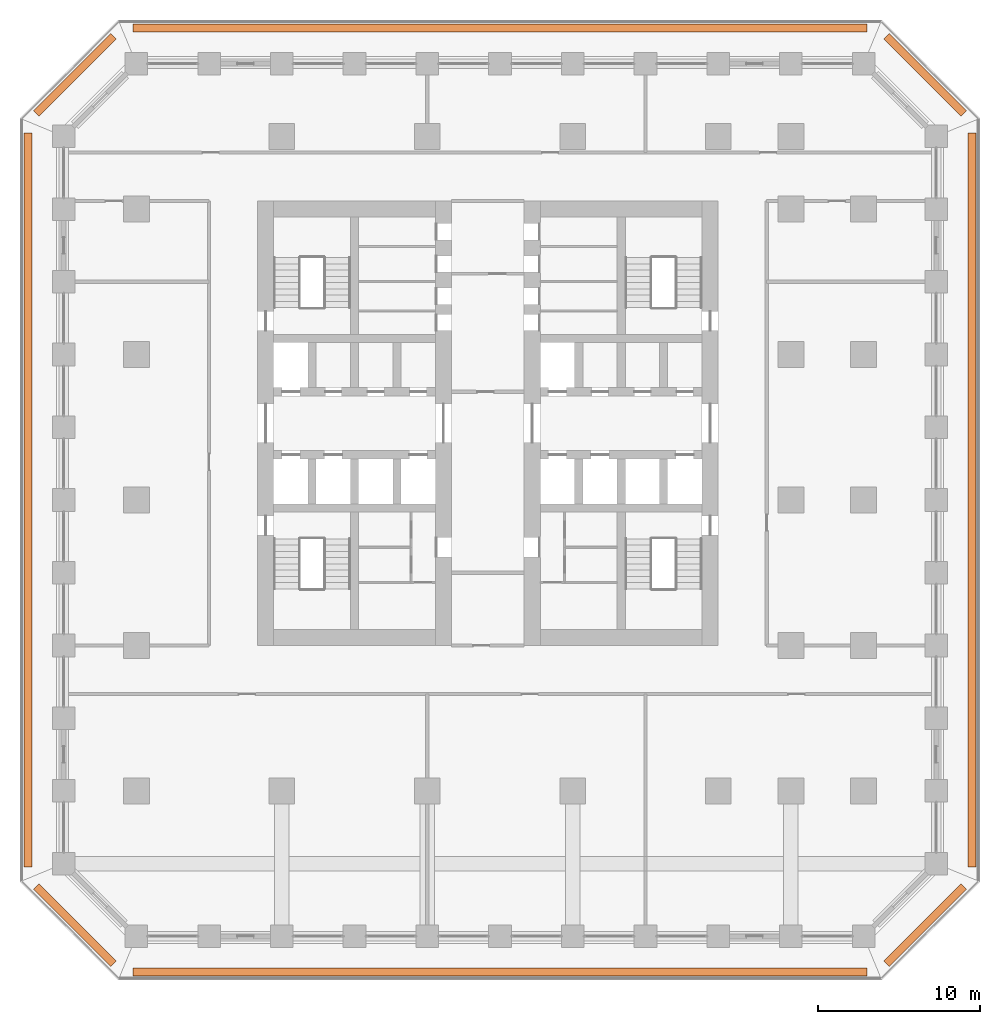
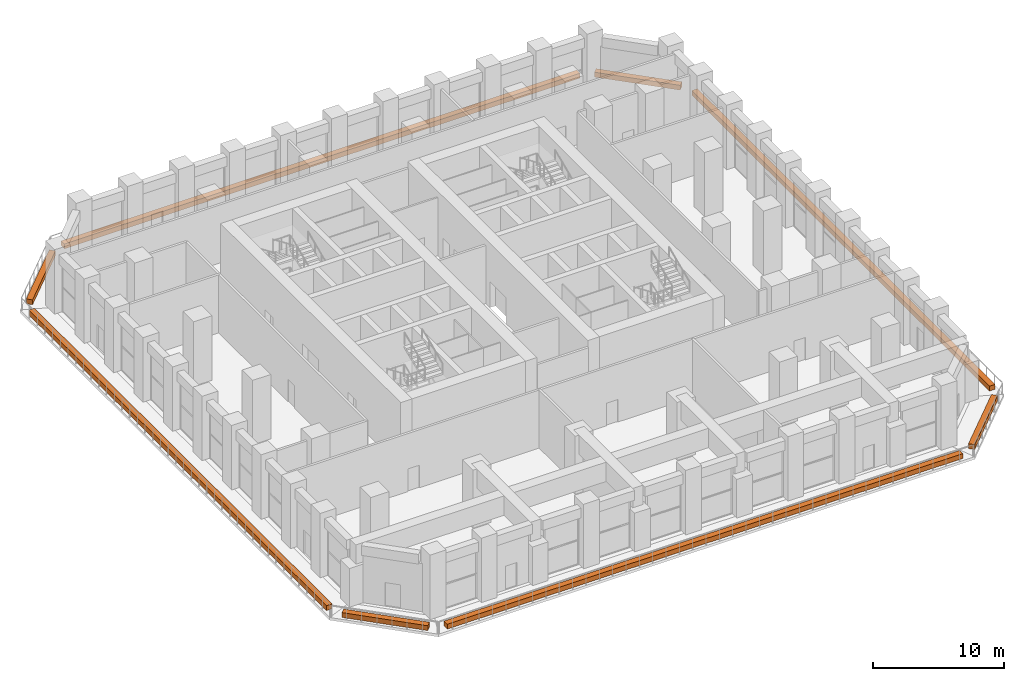
# One storey, part 19 of 19: 8 proxies.
"""IFC4 building model written with IfcOpenShell, lengths in metres."""

import ifcopenshell
import ifcopenshell.guid

model = None  # the IFC model being written
_history = None  # IfcOwnerHistory: only IFC2X3 demands one
_inside = {}  # id of a spatial element -> (the spatial element, [elements in it])
_under = {}  # id of a project, library or spatial element -> (it, [spatial elements below it])
_declared = {}  # id of a project -> (the project, [libraries it declares])
_typed = {}  # id of a type object -> (the type object, [elements of that type])
_made_of = {}  # id of a material, layer set ... -> (it, [elements and type objects made of it])


def new_model(schema):
    """Start an empty IFC model of exactly this schema.

    Asked for "IFC4X3", IfcOpenShell would pick the latest addendum, in which some entities
    have other attributes; the version numbers below select the first issue.
    IFC2X3 requires an IfcOwnerHistory on every rooted entity: one is made here for all.
    """
    global model, _history
    if schema == "IFC4X3":
        model = ifcopenshell.file(schema_version=(4, 3, 0, 0))
    else:
        model = ifcopenshell.file(schema=schema)
    _inside.clear()
    _under.clear()
    _declared.clear()
    _typed.clear()
    _made_of.clear()
    _history = None
    if model.schema == "IFC2X3":
        org = make("IfcOrganization", Name="unknown")
        user = make(
            "IfcPersonAndOrganization",
            ThePerson=make("IfcPerson", FamilyName="unknown"),
            TheOrganization=org,
        )
        app = make(
            "IfcApplication",
            ApplicationDeveloper=org,
            Version="unknown",
            ApplicationFullName="unknown",
            ApplicationIdentifier="unknown",
        )
        _history = make(
            "IfcOwnerHistory",
            OwningUser=user,
            OwningApplication=app,
            ChangeAction="ADDED",
            CreationDate=0,
        )
    return model


def make(cls, **values):
    """One entity of the class cls with the attributes given. An attribute that is None is left unset."""
    return model.create_entity(
        cls, **{name: value for name, value in values.items() if value is not None}
    )


def rooted(cls, **values):
    """An entity with a GlobalId (a new one), such as an element, a storey or a relation."""
    return make(cls, GlobalId=ifcopenshell.guid.new(), OwnerHistory=_history, **values)


def si_unit(unit_type, name, prefix=None):
    """IfcSIUnit, for example si_unit("LENGTHUNIT", "METRE", prefix="MILLI")."""
    return make("IfcSIUnit", UnitType=unit_type, Prefix=prefix, Name=name)


def assignment(units):
    """IfcUnitAssignment: the units of a project."""
    return None if units is None else make("IfcUnitAssignment", Units=units)


def point(xyz):
    """IfcCartesianPoint."""
    return None if xyz is None else make("IfcCartesianPoint", Coordinates=xyz)


def direction(xyz):
    """IfcDirection."""
    return None if xyz is None else make("IfcDirection", DirectionRatios=xyz)


def frame(location, z_axis=None, x_axis=None):
    """IfcAxis2Placement3D, a coordinate frame: its origin and axes. An axis left out is left unset."""
    return make(
        "IfcAxis2Placement3D",
        Location=point(location),
        Axis=direction(z_axis),
        RefDirection=direction(x_axis),
    )


def frame_2d(location, x_axis=None):
    """IfcAxis2Placement2D, a coordinate frame in the plane: its origin and x axis."""
    return make(
        "IfcAxis2Placement2D", Location=point(location), RefDirection=direction(x_axis)
    )


def origin():
    """The frame at (0, 0, 0) with its axes left unset."""
    return frame((0.0, 0.0, 0.0))


def origin_2d():
    """The frame at (0, 0) in the plane with its x axis left unset."""
    return frame_2d((0.0, 0.0))


def place(relative_to, where):
    """IfcLocalPlacement: puts the frame where relative to a parent placement (None: the world)."""
    return make(
        "IfcLocalPlacement", PlacementRelTo=relative_to, RelativePlacement=where
    )


def context(
    kind, dimensions, precision=None, world=None, true_north=None, identifier=None
):
    """IfcGeometricRepresentationContext, for example the 3D "Model" context."""
    return make(
        "IfcGeometricRepresentationContext",
        ContextIdentifier=identifier,
        ContextType=kind,
        CoordinateSpaceDimension=dimensions,
        Precision=precision,
        WorldCoordinateSystem=world,
        TrueNorth=true_north,
    )


def subcontext(parent, identifier, kind, view, scale=None):
    """IfcGeometricRepresentationSubContext, for example "Body" below "Model"."""
    return make(
        "IfcGeometricRepresentationSubContext",
        ContextIdentifier=identifier,
        ContextType=kind,
        ParentContext=parent,
        TargetScale=scale,
        TargetView=view,
    )


def project(units=None, contexts=None):
    """IfcProject with its units and contexts."""
    return rooted(
        "IfcProject",
        Name="project",
        RepresentationContexts=contexts,
        UnitsInContext=assignment(units),
    )


def spatial(cls, under=None, at=None, **own):
    """A site, building, storey or space (cls), placed at a placement, below another one or the project."""
    s = rooted(cls, ObjectPlacement=at, **own)
    if under is not None:
        _under.setdefault(under.id(), (under, []))[1].append(s)
    return s


def profile(cls, at=None, kind="AREA", **sizes):
    """A parametric profile (cls). Its sizes go by their IFC names, for example OverallWidth=200.0."""
    return make(cls, ProfileType=kind, Position=at, **sizes)


def rectangle(**sizes):
    """IfcRectangleProfileDef."""
    return profile("IfcRectangleProfileDef", **sizes)


def extrude(swept, where, along, depth):
    """IfcExtrudedAreaSolid: the profile swept, set in the frame where, extruded along a direction by depth."""
    return make(
        "IfcExtrudedAreaSolid",
        SweptArea=swept,
        Position=where,
        ExtrudedDirection=direction(along),
        Depth=depth,
    )


def shape(context_of_items, identifier, shape_type, items):
    """IfcShapeRepresentation: the items that make up one representation, for example the "Body"."""
    return make(
        "IfcShapeRepresentation",
        ContextOfItems=context_of_items,
        RepresentationIdentifier=identifier,
        RepresentationType=shape_type,
        Items=items,
    )


def material(Name=None, Category=None):
    """IfcMaterial."""
    return make("IfcMaterial", Name=Name, Category=Category)


def made_of(thing, what):
    """Note that an element or type object is made of a material, layer set ...; save() writes the relation."""
    if what is not None:
        _made_of.setdefault(what.id(), (what, []))[1].append(thing)
    return thing


def type_object(cls, material=None, **own):
    """A type object (cls), such as IfcWallType, which elements share."""
    return made_of(rooted(cls, **own), material)


def element(
    cls,
    number,
    at=None,
    inside=None,
    cuts=None,
    type_object=None,
    material=None,
    context=None,
    identifier="Body",
    shape_type=None,
    held_by="IfcProductDefinitionShape",
    body=None,
    shapes=None,
    **own,
):
    """One element of the class cls, such as IfcWall. Its Tag is "e" and its number.

    at: its placement. inside: the storey or other place that contains it. cuts: it is an
    opening in that element (IfcRelVoidsElement). A single representation is given by context,
    identifier, shape_type and body (its items); several are given by shapes. held_by: the class
    of the entity that holds the representations. save() writes the other relations.
    """
    e = rooted(cls, Tag="e%d" % number, ObjectPlacement=at, **own)
    if body is not None:
        shapes = [shape(context, identifier, shape_type, body)]
    if shapes is not None:
        e.Representation = make(held_by, Representations=shapes)
    if inside is not None:
        _inside.setdefault(inside.id(), (inside, []))[1].append(e)
    if cuts is not None:
        rooted(
            "IfcRelVoidsElement", RelatingBuildingElement=cuts, RelatedOpeningElement=e
        )
    if type_object is not None:
        _typed.setdefault(type_object.id(), (type_object, []))[1].append(e)
    return made_of(e, material)


def aggregate(whole, parts):
    """IfcRelAggregates: a whole, such as a stair, and the parts it consists of."""
    return rooted("IfcRelAggregates", RelatingObject=whole, RelatedObjects=parts)


def save(model, path):
    """Write the relations noted so far, then the file.

    IfcRelAggregates (storeys below a building ...), IfcRelContainedInSpatialStructure (elements
    in a storey), IfcRelDefinesByType, IfcRelAssociatesMaterial and IfcRelDeclares: one each for
    every whole, place, type object, material and project.
    """
    for whole, parts in _under.values():
        aggregate(whole, parts)
    for where, things in _inside.values():
        rooted(
            "IfcRelContainedInSpatialStructure",
            RelatedElements=things,
            RelatingStructure=where,
        )
    for kind, things in _typed.values():
        rooted("IfcRelDefinesByType", RelatedObjects=things, RelatingType=kind)
    for what, things in _made_of.values():
        rooted("IfcRelAssociatesMaterial", RelatedObjects=things, RelatingMaterial=what)
    for by, libraries in _declared.values():
        rooted("IfcRelDeclares", RelatingContext=by, RelatedDefinitions=libraries)
    model.write(path)


model = new_model("IFC4")

# Units and contexts
model_context = context("Model", 3, precision=1e-05, world=origin(), true_north=direction((0.0, 1.0)))
body_context = subcontext(model_context, "Body", "Model", "MODEL_VIEW")
ifc_project = project(units=[si_unit("LENGTHUNIT", "METRE"), si_unit("AREAUNIT", "SQUARE_METRE"), si_unit("VOLUMEUNIT", "CUBIC_METRE"), si_unit("PLANEANGLEUNIT", "RADIAN"), si_unit("MASSUNIT", "GRAM", prefix="KILO")], contexts=[model_context])

# Site, building, storey
site_placement = place(None, origin())
site = spatial("IfcSite", under=ifc_project, at=site_placement, CompositionType="ELEMENT")
building_placement = place(site_placement, origin())
building = spatial("IfcBuilding", under=site, at=building_placement, Name="Corbel Stack Research Tower", CompositionType="ELEMENT")
storey_placement = place(building_placement, frame((0.0, 0.0, 70.60009765625)))
storey = spatial("IfcBuildingStorey", under=building, at=storey_placement, Name="L16", CompositionType="ELEMENT", Elevation=70.60009765625)

# Proxies
ifc_material = material(Name="Concrete C45/55", Category="concrete")
building_element_proxy_type = type_object("IfcBuildingElementProxyType", Name="Planter box", PredefinedType="USERDEFINED", material=ifc_material)
proxy_1_placement = place(storey_placement, frame((4.5, -29.199951171875, 0.0), z_axis=(0.0, 0.0, 1.0), x_axis=(1.0, 0.0, 0.0)))
element("IfcBuildingElementProxy", 1, at=proxy_1_placement, inside=storey, type_object=building_element_proxy_type, Name="Planter L16 S", ObjectType="PLANTER", PredefinedType="USERDEFINED", context=body_context, shape_type="SweptSolid", body=[
    extrude(rectangle(XDim=45.41064453125, YDim=0.5, at=origin_2d()), origin(), (0.0, 0.0, 1.0), 0.449951171875),
])
proxy_2_placement = place(storey_placement, frame((30.8056640625, -26.3056640625, 0.0), z_axis=(0.0, 0.0, 1.0), x_axis=(0.707106781187, 0.707106781187, 0.0)))
element("IfcBuildingElementProxy", 2, at=proxy_2_placement, inside=storey, type_object=building_element_proxy_type, Name="Planter L16 SE", ObjectType="PLANTER", PredefinedType="USERDEFINED", context=body_context, shape_type="SweptSolid", body=[
    extrude(rectangle(XDim=6.774658203125, YDim=0.5, at=origin_2d()), origin(), (0.0, 0.0, 1.0), 0.449951171875),
])
proxy_3_placement = place(storey_placement, frame((33.699951171875, 0.0, 0.0), z_axis=(0.0, 0.0, 1.0), x_axis=(0.0, 1.0, 0.0)))
element("IfcBuildingElementProxy", 3, at=proxy_3_placement, inside=storey, type_object=building_element_proxy_type, Name="Planter L16 E", ObjectType="PLANTER", PredefinedType="USERDEFINED", context=body_context, shape_type="SweptSolid", body=[
    extrude(rectangle(XDim=45.41064453125, YDim=0.5, at=origin_2d()), origin(), (0.0, 0.0, 1.0), 0.449951171875),
])
proxy_4_placement = place(storey_placement, frame((30.8056640625, 26.3056640625, 0.0), z_axis=(0.0, 0.0, 1.0), x_axis=(-0.707106781187, 0.707106781187, 0.0)))
element("IfcBuildingElementProxy", 4, at=proxy_4_placement, inside=storey, type_object=building_element_proxy_type, Name="Planter L16 NE", ObjectType="PLANTER", PredefinedType="USERDEFINED", context=body_context, shape_type="SweptSolid", body=[
    extrude(rectangle(XDim=6.774658203125, YDim=0.5, at=origin_2d()), origin(), (0.0, 0.0, 1.0), 0.449951171875),
])
proxy_5_placement = place(storey_placement, frame((4.5, 29.199951171875, 0.0), z_axis=(0.0, 0.0, 1.0), x_axis=(-1.0, 0.0, 0.0)))
element("IfcBuildingElementProxy", 5, at=proxy_5_placement, inside=storey, type_object=building_element_proxy_type, Name="Planter L16 N", ObjectType="PLANTER", PredefinedType="USERDEFINED", context=body_context, shape_type="SweptSolid", body=[
    extrude(rectangle(XDim=45.41064453125, YDim=0.5, at=origin_2d()), origin(), (0.0, 0.0, 1.0), 0.449951171875),
])
proxy_6_placement = place(storey_placement, frame((-21.8056640625, 26.3056640625, 0.0), z_axis=(0.0, 0.0, 1.0), x_axis=(-0.707106781187, -0.707106781187, 0.0)))
element("IfcBuildingElementProxy", 6, at=proxy_6_placement, inside=storey, type_object=building_element_proxy_type, Name="Planter L16 NW", ObjectType="PLANTER", PredefinedType="USERDEFINED", context=body_context, shape_type="SweptSolid", body=[
    extrude(rectangle(XDim=6.774658203125, YDim=0.5, at=origin_2d()), origin(), (0.0, 0.0, 1.0), 0.449951171875),
])
proxy_7_placement = place(storey_placement, frame((-24.699951171875, 0.0, 0.0), z_axis=(0.0, 0.0, 1.0), x_axis=(0.0, -1.0, 0.0)))
element("IfcBuildingElementProxy", 7, at=proxy_7_placement, inside=storey, type_object=building_element_proxy_type, Name="Planter L16 W", ObjectType="PLANTER", PredefinedType="USERDEFINED", context=body_context, shape_type="SweptSolid", body=[
    extrude(rectangle(XDim=45.41064453125, YDim=0.5, at=origin_2d()), origin(), (0.0, 0.0, 1.0), 0.449951171875),
])
proxy_8_placement = place(storey_placement, frame((-21.8056640625, -26.3056640625, 0.0), z_axis=(0.0, 0.0, 1.0), x_axis=(0.707106781187, -0.707106781187, 0.0)))
element("IfcBuildingElementProxy", 8, at=proxy_8_placement, inside=storey, type_object=building_element_proxy_type, Name="Planter L16 SW", ObjectType="PLANTER", PredefinedType="USERDEFINED", context=body_context, shape_type="SweptSolid", body=[
    extrude(rectangle(XDim=6.774658203125, YDim=0.5, at=origin_2d()), origin(), (0.0, 0.0, 1.0), 0.449951171875),
])

save(model, "model.ifc")
